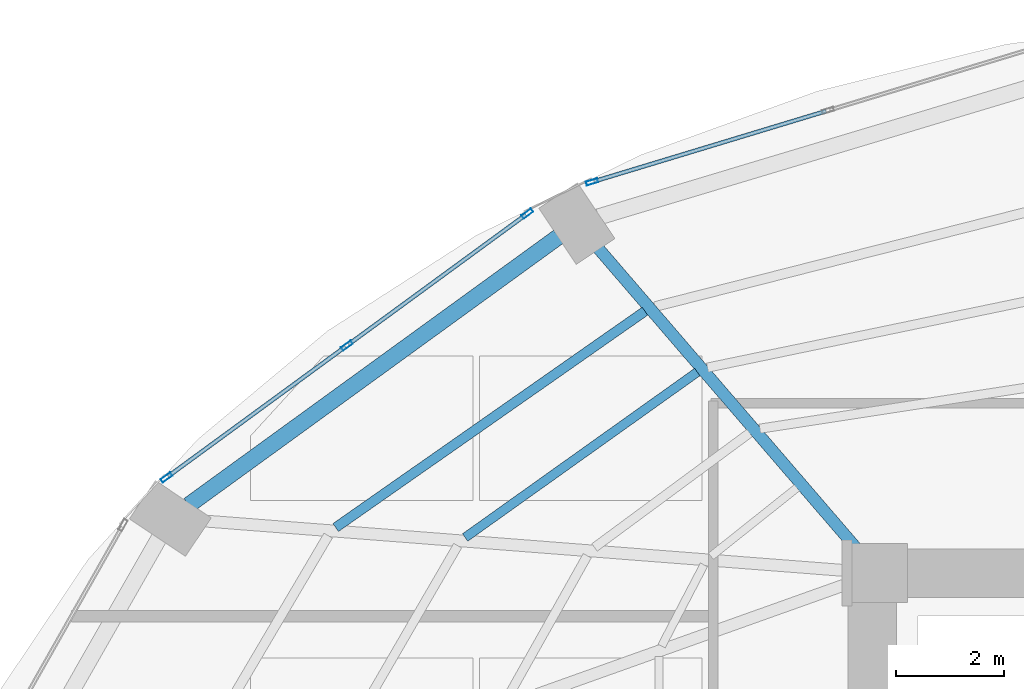
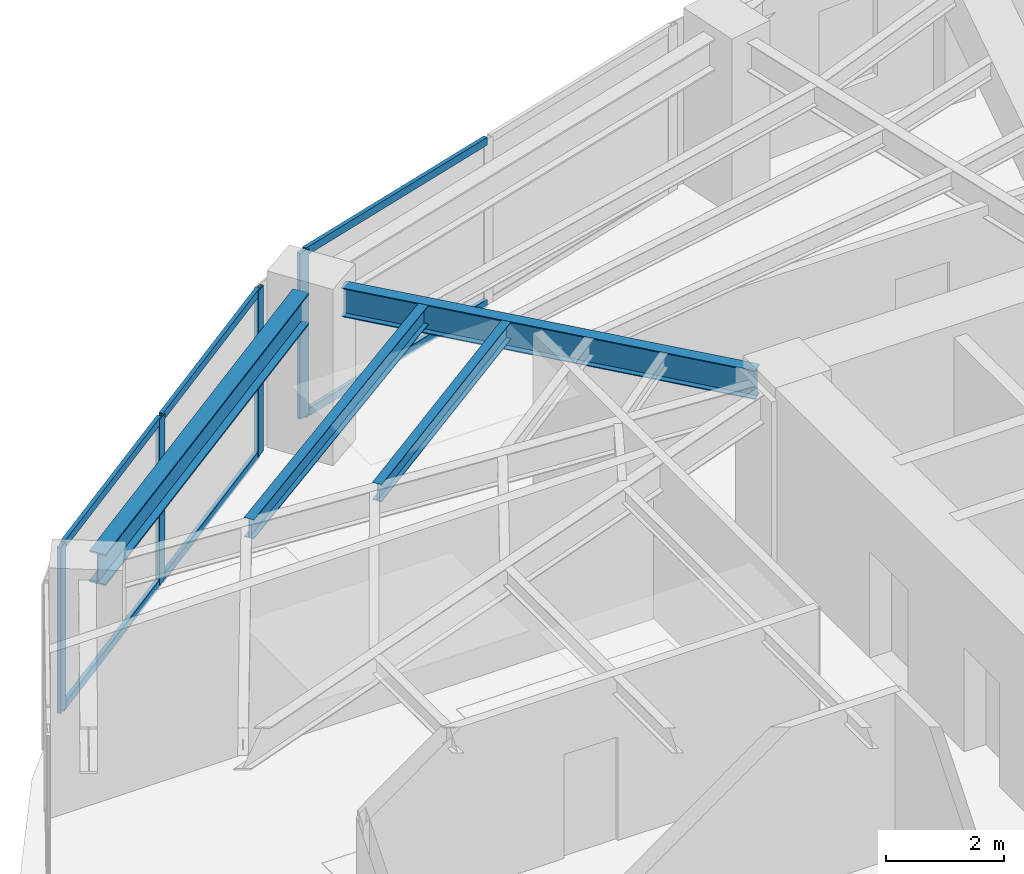
# One storey, part 13 of 24: 10 members, 4 beams, 2 elements without a shape of their own.
"""IFC4 building model written with IfcOpenShell, lengths in metres."""

from ifc_helpers import new_model, si_unit, direction, frame, origin, origin_2d, place, context, subcontext, project, spatial, hollow_rectangle, i_section, extrude, material, layer, layer_set, material_profile, profile_set, type_object, element, aggregate, save


model = new_model("IFC4")

# Units and contexts
model_context = context("Model", 3, precision=1e-05, world=origin(), true_north=direction((0.0, 1.0)))
body_context = subcontext(model_context, "Body", "Model", "MODEL_VIEW")
ifc_project = project(units=[si_unit("LENGTHUNIT", "METRE"), si_unit("AREAUNIT", "SQUARE_METRE"), si_unit("VOLUMEUNIT", "CUBIC_METRE"), si_unit("PLANEANGLEUNIT", "RADIAN"), si_unit("MASSUNIT", "GRAM", prefix="KILO")], contexts=[model_context])

# Site, building, storey
site_placement = place(None, origin())
site = spatial("IfcSite", under=ifc_project, at=site_placement, CompositionType="ELEMENT")
building_placement = place(site_placement, origin())
building = spatial("IfcBuilding", under=site, at=building_placement, Name="Lazwardi Medical Tower", CompositionType="ELEMENT")
storey_placement = place(building_placement, frame((0.0, 0.0, 65.327880859375)))
storey = spatial("IfcBuildingStorey", under=building, at=storey_placement, Name="L16", CompositionType="ELEMENT", Elevation=65.327880859375)

# Beams
ifc_material_1 = material(Name="Steel S355", Category="steel")
ifc_material_profile_1 = material_profile(ifc_material_1, i_section(OverallWidth=0.300048828125, OverallDepth=0.64990234375, WebThickness=0.01611328125, FlangeThickness=0.031005859375, at=origin_2d()), Name="HEB 650")
ifc_profile_set_1 = profile_set([ifc_material_profile_1], Name="Steel S355")
beam_type_1 = type_object("IfcBeamType", Name="BM-RB-Z1", PredefinedType="BEAM", material=ifc_profile_set_1)
beam_1_placement = place(storey_placement, frame((20.47900390625, 41.83740234375, 3.10302734375), z_axis=(-0.80939338516, -0.5872668457, 0.0), x_axis=(0.5872668457, -0.80939338516, 0.0)))
element("IfcBeam", 1, at=beam_1_placement, inside=storey, type_object=beam_type_1, Name="Ring beam RB-02 B10 L16", PredefinedType="BEAM", context=body_context, shape_type="SweptSolid", body=[
    extrude(i_section(OverallWidth=0.300048828125, OverallDepth=0.64990234375, WebThickness=0.01611328125, FlangeThickness=0.031005859375, at=origin_2d()), origin(), (0.0, 0.0, 1.0), 8.47412109375),
])
ifc_material_profile_2 = material_profile(ifc_material_1, i_section(OverallWidth=0.219970703125, OverallDepth=0.60009765625, WebThickness=0.011962890625, FlangeThickness=0.01904296875, at=origin_2d()), Name="IPE 600")
ifc_profile_set_2 = profile_set([ifc_material_profile_2], Name="Steel S355")
beam_type_2 = type_object("IfcBeamType", Name="BM-RG-W1", PredefinedType="BEAM", material=ifc_profile_set_2)
beam_2_placement = place(storey_placement, frame((21.197509765625, 41.644287109375, 3.128173828125), z_axis=(0.652368190463, -0.757902199543, 0.0), x_axis=(0.757902199543, 0.652368190463, 0.0)))
element("IfcBeam", 2, at=beam_2_placement, inside=storey, type_object=beam_type_2, Name="Radial girder RG-02 R10 L16", PredefinedType="BEAM", context=body_context, shape_type="SweptSolid", body=[
    extrude(i_section(OverallWidth=0.219970703125, OverallDepth=0.60009765625, WebThickness=0.011962890625, FlangeThickness=0.01904296875, at=origin_2d()), origin(), (0.0, 0.0, 1.0), 7.43994140625),
])
ifc_material_profile_3 = material_profile(ifc_material_1, i_section(OverallWidth=0.179931640625, OverallDepth=0.39990234375, WebThickness=0.008544921875, FlangeThickness=0.013427734375, at=origin_2d()), Name="IPE 400")
ifc_profile_set_3 = profile_set([ifc_material_profile_3], Name="Steel S355")
beam_type_3 = type_object("IfcBeamType", Name="BM-SJ-01", PredefinedType="JOIST", material=ifc_profile_set_3)
beam_3_placement = place(storey_placement, frame((22.08203125, 40.456298828125, 3.22802734375), z_axis=(-0.81942522483, -0.573186096231, 0.0), x_axis=(0.573186096231, -0.81942522483, 0.0)))
element("IfcBeam", 3, at=beam_3_placement, inside=storey, type_object=beam_type_3, Name="Secondary joist SJ-01 R1 B10 L16", PredefinedType="JOIST", context=body_context, shape_type="SweptSolid", body=[
    extrude(i_section(OverallWidth=0.179931640625, OverallDepth=0.39990234375, WebThickness=0.008544921875, FlangeThickness=0.013427734375, at=origin_2d()), origin(), (0.0, 0.0, 1.0), 6.999755859375),
])
ifc_material_profile_4 = material_profile(ifc_material_1, i_section(OverallWidth=0.169921875, OverallDepth=0.360107421875, WebThickness=0.008056640625, FlangeThickness=0.0126953125, at=origin_2d()), Name="IPE 360")
ifc_profile_set_4 = profile_set([ifc_material_profile_4], Name="Steel S355")
beam_type_4 = type_object("IfcBeamType", Name="BM-SJ-02", PredefinedType="JOIST", material=ifc_profile_set_4)
beam_4_placement = place(storey_placement, frame((23.05322265625, 39.327880859375, 3.248046875), z_axis=(-0.814341377136, -0.580386183058, 0.0), x_axis=(0.580386183058, -0.814341377136, 0.0)))
element("IfcBeam", 4, at=beam_4_placement, inside=storey, type_object=beam_type_4, Name="Secondary joist SJ-02 R2 B10 L16", PredefinedType="JOIST", context=body_context, shape_type="SweptSolid", body=[
    extrude(i_section(OverallWidth=0.169921875, OverallDepth=0.360107421875, WebThickness=0.008056640625, FlangeThickness=0.0126953125, at=origin_2d()), origin(), (0.0, 0.0, 1.0), 5.28759765625),
])

# Curtain wall, member
ifc_material_2 = material(Name="Anodised bronze aluminium and solar control glazing", Category="aluminium")
ifc_layer = layer(ifc_material_2, 0.199951171875)
ifc_layer_set = layer_set([ifc_layer], Name="Anodised bronze aluminium and solar control glazing")
curtain_wall_type = type_object("IfcCurtainWallType", Name="CW-SYS-02", PredefinedType="NOTDEFINED", material=ifc_layer_set)
curtain_wall_1_placement = place(storey_placement, origin())
curtain_wall_1 = element("IfcCurtainWall", 5, at=curtain_wall_1_placement, inside=storey, type_object=curtain_wall_type, Name="L16 Unitised bronze curtain wall CW-02", PredefinedType="NOTDEFINED")
ifc_material_3 = material(Name="Anodised bronze aluminium", Category="aluminium")
ifc_material_profile_5 = material_profile(ifc_material_3, hollow_rectangle(XDim=0.074951171875, YDim=0.219970703125, WallThickness=0.00390625, at=origin_2d()), Name="ALU-MULLION 220x75x4")
ifc_profile_set_5 = profile_set([ifc_material_profile_5], Name="Anodised bronze aluminium")
member_type_1 = type_object("IfcMemberType", Name="CW-MUL-01", PredefinedType="MULLION", material=ifc_profile_set_5)
member_1_placement = place(storey_placement, frame((21.1015625, 42.853271484375, 0.0), z_axis=(0.0, 0.0, 1.0), x_axis=(0.2898956909, -0.957058247129, 0.0)))
member_1 = element("IfcMember", 6, at=member_1_placement, type_object=member_type_1, Name="CW-02 mullion 3", PredefinedType="MULLION", context=body_context, shape_type="SweptSolid", body=[
    extrude(hollow_rectangle(XDim=0.074951171875, YDim=0.219970703125, WallThickness=0.00390625, at=origin_2d()), origin(), (0.0, 0.0, 1.0), 3.42822265625),
])

# Curtain wall, members
curtain_wall_2_placement = place(storey_placement, origin())
curtain_wall_2 = element("IfcCurtainWall", 7, at=curtain_wall_2_placement, inside=storey, type_object=curtain_wall_type, Name="L16 Unitised bronze curtain wall CW-02", PredefinedType="NOTDEFINED")
member_2_placement = place(storey_placement, frame((19.9013671875, 42.26611328125, 0.0), z_axis=(0.0, 0.0, 1.0), x_axis=(0.590289307341, -0.807191757663, 0.0)))
member_2 = element("IfcMember", 8, at=member_2_placement, type_object=member_type_1, Name="CW-02 mullion 1", PredefinedType="MULLION", context=body_context, shape_type="SweptSolid", body=[
    extrude(hollow_rectangle(XDim=0.074951171875, YDim=0.219970703125, WallThickness=0.00390625, at=origin_2d()), origin(), (0.0, 0.0, 1.0), 3.42822265625),
])
member_3_placement = place(storey_placement, frame((16.5556640625, 39.8193359375, 0.0), z_axis=(0.0, 0.0, 1.0), x_axis=(0.590289307341, -0.807191757663, 0.0)))
member_3 = element("IfcMember", 9, at=member_3_placement, type_object=member_type_1, Name="CW-02 mullion 2", PredefinedType="MULLION", context=body_context, shape_type="SweptSolid", body=[
    extrude(hollow_rectangle(XDim=0.074951171875, YDim=0.219970703125, WallThickness=0.00390625, at=origin_2d()), origin(), (0.0, 0.0, 1.0), 3.42822265625),
])
member_4_placement = place(storey_placement, frame((13.209716796875, 37.37255859375, 0.0), z_axis=(0.0, 0.0, 1.0), x_axis=(0.590289307341, -0.807191757663, 0.0)))
member_4 = element("IfcMember", 10, at=member_4_placement, type_object=member_type_1, Name="CW-02 mullion 3", PredefinedType="MULLION", context=body_context, shape_type="SweptSolid", body=[
    extrude(hollow_rectangle(XDim=0.074951171875, YDim=0.219970703125, WallThickness=0.00390625, at=origin_2d()), origin(), (0.0, 0.0, 1.0), 3.42822265625),
])

# Member
ifc_material_profile_6 = material_profile(ifc_material_3, hollow_rectangle(XDim=0.074951171875, YDim=0.159912109375, WallThickness=0.00390625, at=origin_2d()), Name="ALU-TRANSOM 160x75x4")
ifc_profile_set_6 = profile_set([ifc_material_profile_6], Name="Anodised bronze aluminium")
member_type_2 = type_object("IfcMemberType", Name="CW-TRN-01", PredefinedType="USERDEFINED", material=ifc_profile_set_6)
member_5_placement = place(storey_placement, frame((25.44091796875, 44.16748046875, 0.03759765625), z_axis=(-0.957062297904, -0.289882317383, 0.0), x_axis=(0.289882317383, -0.957062297904, 0.0)))
member_5 = element("IfcMember", 11, at=member_5_placement, type_object=member_type_2, Name="CW-02 transom 2.1", ObjectType="TRANSOM", PredefinedType="USERDEFINED", context=body_context, shape_type="SweptSolid", body=[
    extrude(hollow_rectangle(XDim=0.074951171875, YDim=0.159912109375, WallThickness=0.00390625, at=origin_2d()), origin(), (0.0, 0.0, 1.0), 4.49658203125),
])

member_6_placement = place(storey_placement, frame((25.44091796875, 44.16748046875, 3.390625), z_axis=(-0.957062297904, -0.289882317383, 0.0), x_axis=(0.289882317383, -0.957062297904, 0.0)))
member_6 = element("IfcMember", 12, at=member_6_placement, type_object=member_type_2, Name="CW-02 transom 2.2", ObjectType="TRANSOM", PredefinedType="USERDEFINED", context=body_context, shape_type="SweptSolid", body=[
    extrude(hollow_rectangle(XDim=0.074951171875, YDim=0.159912109375, WallThickness=0.00390625, at=origin_2d()), origin(), (0.0, 0.0, 1.0), 4.49658203125),
])

aggregate(curtain_wall_1, [member_1, member_5, member_6])

member_7_placement = place(storey_placement, frame((19.87109375, 42.243896484375, 0.03759765625), z_axis=(-0.807197636578, -0.590281268128, 0.0), x_axis=(0.590281268128, -0.807197636578, 0.0)))
member_7 = element("IfcMember", 13, at=member_7_placement, type_object=member_type_2, Name="CW-02 transom 1.1", ObjectType="TRANSOM", PredefinedType="USERDEFINED", context=body_context, shape_type="SweptSolid", body=[
    extrude(hollow_rectangle(XDim=0.074951171875, YDim=0.159912109375, WallThickness=0.00390625, at=origin_2d()), origin(), (0.0, 0.0, 1.0), 4.06982421875),
])

member_8_placement = place(storey_placement, frame((19.87109375, 42.243896484375, 3.390625), z_axis=(-0.807197636578, -0.590281268128, 0.0), x_axis=(0.590281268128, -0.807197636578, 0.0)))
member_8 = element("IfcMember", 14, at=member_8_placement, type_object=member_type_2, Name="CW-02 transom 1.2", ObjectType="TRANSOM", PredefinedType="USERDEFINED", context=body_context, shape_type="SweptSolid", body=[
    extrude(hollow_rectangle(XDim=0.074951171875, YDim=0.159912109375, WallThickness=0.00390625, at=origin_2d()), origin(), (0.0, 0.0, 1.0), 4.06982421875),
])

member_9_placement = place(storey_placement, frame((16.525390625, 39.797119140625, 0.03759765625), z_axis=(-0.807218536774, -0.590252686472, 0.0), x_axis=(0.590252686472, -0.807218536774, 0.0)))
member_9 = element("IfcMember", 15, at=member_9_placement, type_object=member_type_2, Name="CW-02 transom 2.1", ObjectType="TRANSOM", PredefinedType="USERDEFINED", context=body_context, shape_type="SweptSolid", body=[
    extrude(hollow_rectangle(XDim=0.074951171875, YDim=0.159912109375, WallThickness=0.00390625, at=origin_2d()), origin(), (0.0, 0.0, 1.0), 4.070068359375),
])

member_10_placement = place(storey_placement, frame((16.525390625, 39.797119140625, 3.390625), z_axis=(-0.807218536774, -0.590252686472, 0.0), x_axis=(0.590252686472, -0.807218536774, 0.0)))
member_10 = element("IfcMember", 16, at=member_10_placement, type_object=member_type_2, Name="CW-02 transom 2.2", ObjectType="TRANSOM", PredefinedType="USERDEFINED", context=body_context, shape_type="SweptSolid", body=[
    extrude(hollow_rectangle(XDim=0.074951171875, YDim=0.159912109375, WallThickness=0.00390625, at=origin_2d()), origin(), (0.0, 0.0, 1.0), 4.070068359375),
])

aggregate(curtain_wall_2, [member_2, member_3, member_4, member_7, member_8, member_9, member_10])

save(model, "model.ifc")
